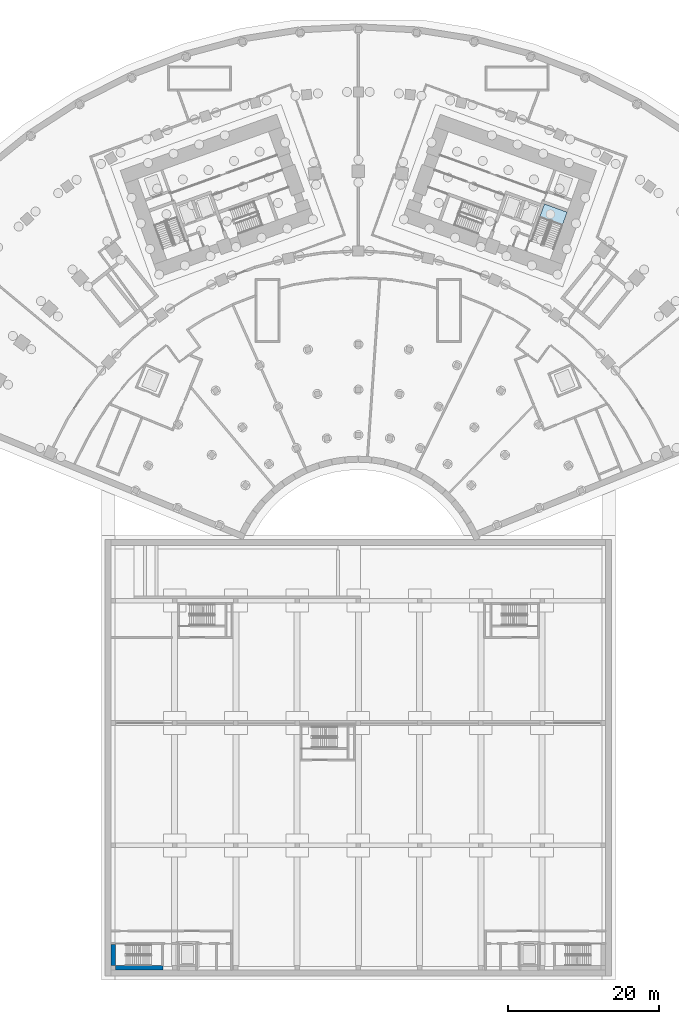
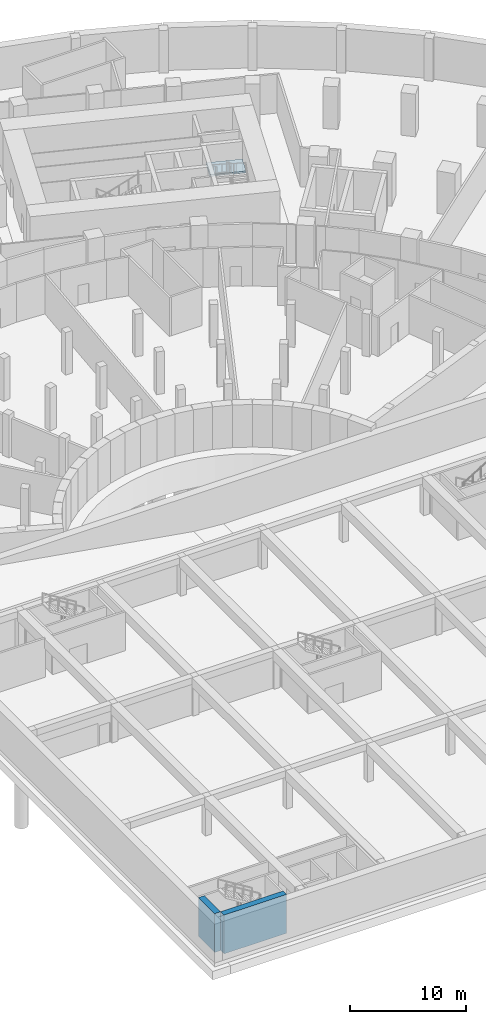
# One storey, part 4 of 25: 2 walls, 1 slab, 1 element without a shape of its own.
"""IFC4 building model written with IfcOpenShell, lengths in metres."""

from ifc_helpers import new_model, si_unit, direction, frame, frame_2d, origin, place, context, subcontext, project, spatial, polyline, rectangle, outline, extrude, material, layer, layer_set, type_object, element, aggregate, save


model = new_model("IFC4")

# Units and contexts
model_context = context("Model", 3, precision=1e-05, world=origin(), true_north=direction((0.0, 1.0)))
body_context = subcontext(model_context, "Body", "Model", "MODEL_VIEW")
ifc_project = project(units=[si_unit("LENGTHUNIT", "METRE"), si_unit("AREAUNIT", "SQUARE_METRE"), si_unit("VOLUMEUNIT", "CUBIC_METRE"), si_unit("PLANEANGLEUNIT", "RADIAN"), si_unit("MASSUNIT", "GRAM", prefix="KILO")], contexts=[model_context])

# Site, building, storey
site_placement = place(None, origin())
site = spatial("IfcSite", under=ifc_project, at=site_placement, CompositionType="ELEMENT")
building_placement = place(site_placement, origin())
building = spatial("IfcBuilding", under=site, at=building_placement, Name="Stone Belt Terrace Tower", CompositionType="ELEMENT")
storey_placement = place(building_placement, frame((0.0, 0.0, -13.5)))
storey = spatial("IfcBuildingStorey", under=building, at=storey_placement, Name="B3", CompositionType="ELEMENT", Elevation=-13.5)

# Stair, slab
ifc_material_1 = material(Name="Concrete B40", Category="concrete")
stair_type = type_object("IfcStairType", Name="Exit stair 1500", PredefinedType="HALF_TURN_STAIR", material=ifc_material_1)
stair_placement = place(storey_placement, origin())
stair = element("IfcStair", 1, at=stair_placement, inside=storey, type_object=stair_type, Name="B3 Exit stair 1 core B", PredefinedType="HALF_TURN_STAIR")
ifc_layer_1 = layer(ifc_material_1, 0.199951171875)
ifc_layer_set_1 = layer_set([ifc_layer_1], Name="Stair landing 200")
slab_type = type_object("IfcSlabType", Name="Stair landing 200", PredefinedType="LANDING", material=ifc_layer_set_1)
slab_placement = place(storey_placement, frame((0.0, 0.0, 2.050048828125)))
slab = element("IfcSlab", 2, at=slab_placement, type_object=slab_type, Name="ST1B landing 1", PredefinedType="LANDING", context=body_context, shape_type="SweptSolid", body=[
    extrude(outline(polyline([(26.99609375, 47.84423828125), (27.619384765625, 49.576171875), (24.6083984375, 50.659912109375), (23.985107421875, 48.927734375), (26.99609375, 47.84423828125)])), origin(), (0.0, 0.0, 1.0), 0.199951171875),
])
aggregate(stair, [slab])

# Walls
ifc_material_2 = material(Name="Concrete B30", Category="concrete")
ifc_layer_2 = layer(ifc_material_2, 0.60009765625)
ifc_layer_set_2 = layer_set([ifc_layer_2], Name="Car park stair wall 600")
wall_type = type_object("IfcWallType", Name="Car park stair wall 600", PredefinedType="SOLIDWALL", material=ifc_layer_set_2)
wall_1_placement = place(storey_placement, frame((-32.10009765625, -50.39990234375, 0.0), z_axis=(0.0, 0.0, 1.0), x_axis=(1.0, 0.0, 0.0)))
element("IfcWall", 3, at=wall_1_placement, inside=storey, type_object=wall_type, Name="Car park stair 1 wall", PredefinedType="SOLIDWALL", context=body_context, shape_type="SweptSolid", body=[
    extrude(rectangle(XDim=6.260009765625, YDim=0.60009765625, at=frame_2d((3.1298828125, 0.0))), origin(), (0.0, 0.0, 1.0), 4.10009765625),
])
wall_2_placement = place(storey_placement, frame((-32.39990234375, -50.10009765625, 0.0), z_axis=(0.0, 0.0, 1.0), x_axis=(0.0, 1.0, 0.0)))
element("IfcWall", 4, at=wall_2_placement, inside=storey, type_object=wall_type, Name="Car park stair 1 wall", PredefinedType="SOLIDWALL", context=body_context, shape_type="SweptSolid", body=[
    extrude(rectangle(XDim=2.800048828125, YDim=0.60009765625, at=frame_2d((1.39990234375, 0.0))), origin(), (0.0, 0.0, 1.0), 4.10009765625),
])

save(model, "model.ifc")
